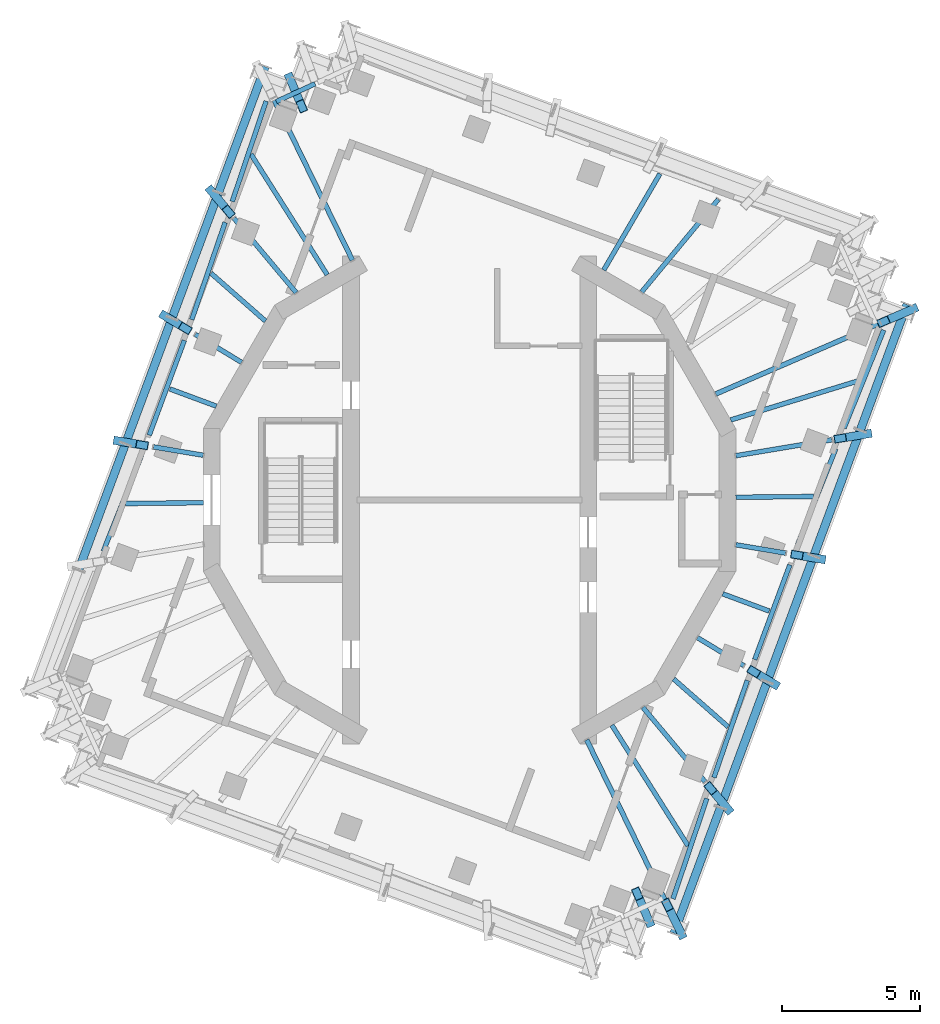
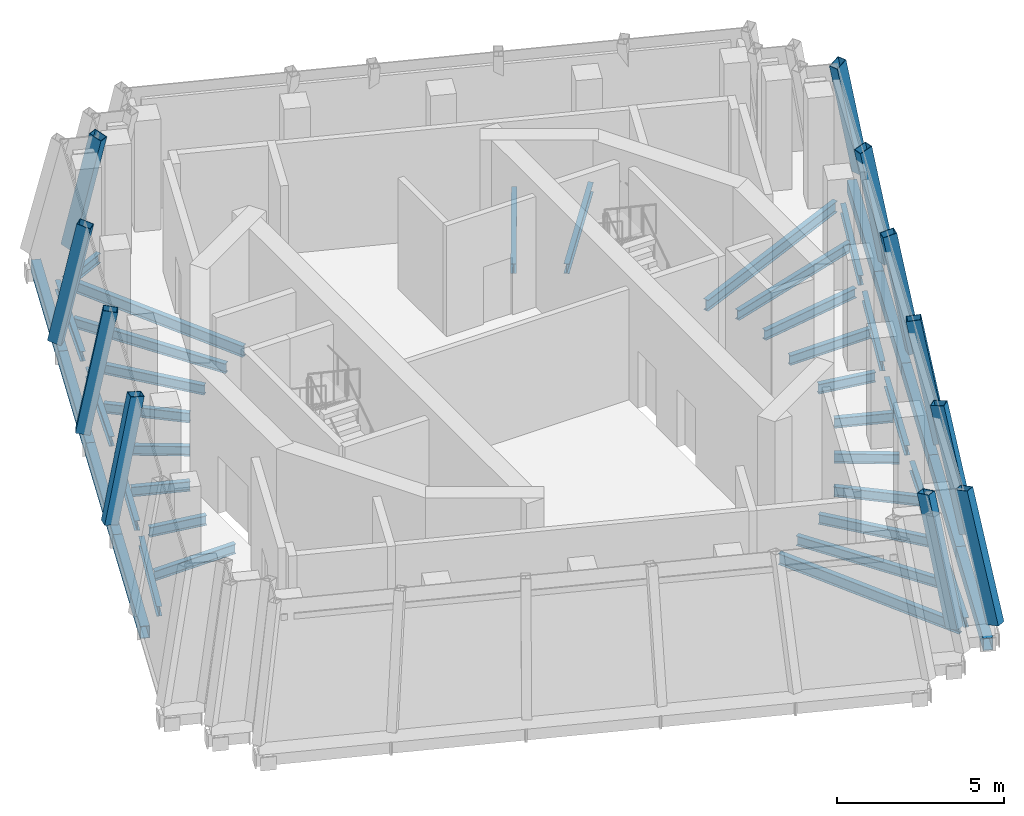
# One storey, part 2 of 12: 31 beams, 20 members, 12 elements without a shape of their own.
"""IFC4 building model written with IfcOpenShell, lengths in metres."""

from ifc_helpers import new_model, si_unit, direction, frame, origin, origin_2d, place, context, subcontext, project, spatial, hollow_rectangle, i_section, extrude, material, material_profile, profile_set, type_object, element, aggregate, save


model = new_model("IFC4")

# Units and contexts
model_context = context("Model", 3, precision=1e-05, world=origin(), true_north=direction((0.0, 1.0)))
body_context = subcontext(model_context, "Body", "Model", "MODEL_VIEW")
ifc_project = project(units=[si_unit("LENGTHUNIT", "METRE"), si_unit("AREAUNIT", "SQUARE_METRE"), si_unit("VOLUMEUNIT", "CUBIC_METRE"), si_unit("PLANEANGLEUNIT", "RADIAN"), si_unit("MASSUNIT", "GRAM", prefix="KILO")], contexts=[model_context])

# Site, building, storey
site_placement = place(None, origin())
site = spatial("IfcSite", under=ifc_project, at=site_placement, CompositionType="ELEMENT")
building_placement = place(site_placement, origin())
building = spatial("IfcBuilding", under=site, at=building_placement, Name="Cantera Rosa Tower", CompositionType="ELEMENT")
storey_placement = place(building_placement, frame((0.0, 0.0, 360.699951171875)))
storey = spatial("IfcBuildingStorey", under=building, at=storey_placement, Name="L81", CompositionType="ELEMENT", Elevation=360.699951171875)

# Curtain wall, member
ifc_material_1 = material(Name="Aluminium frame with clear glass", Category="aluminium")
curtain_wall_type = type_object("IfcCurtainWallType", Name="CW4 CROWN GLAZING", PredefinedType="NOTDEFINED", material=ifc_material_1)
curtain_wall_1_placement = place(storey_placement, origin())
curtain_wall_1 = element("IfcCurtainWall", 1, at=curtain_wall_1_placement, inside=storey, type_object=curtain_wall_type, Name="CW4 L81-09", PredefinedType="NOTDEFINED")
ifc_material_2 = material(Name="Steel S355J2 (EN 10025-2)", Category="steel")
ifc_material_profile_1 = material_profile(ifc_material_2, hollow_rectangle(XDim=0.300048828125, YDim=0.449951171875, WallThickness=0.01611328125, at=origin_2d()), Name="CROWN FRAME MULLION RHS 300x450x16")
ifc_profile_set_1 = profile_set([ifc_material_profile_1], Name="Steel S355J2 (EN 10025-2)")
member_type_1 = type_object("IfcMemberType", Name="CROWN FRAME MULLION RHS 300x450x16", PredefinedType="MULLION", material=ifc_profile_set_1)
member_1_placement = place(storey_placement, frame((-6.5068359375, 15.271728515625, 0.0), z_axis=(0.090727513229, -0.213017011862, 0.972826948126), x_axis=(0.920027022775, 0.391854918769, 0.0)))
member_1 = element("IfcMember", 2, at=member_1_placement, type_object=member_type_1, Name="CROWN FRAME rib L81-09", PredefinedType="MULLION", context=body_context, shape_type="SweptSolid", body=[
    extrude(hollow_rectangle(XDim=0.300048828125, YDim=0.449951171875, WallThickness=0.01611328125, at=origin_2d()), origin(), (0.0, 0.0, 1.0), 4.625732421875),
])
aggregate(curtain_wall_1, [member_1])

curtain_wall_2_placement = place(storey_placement, origin())
curtain_wall_2 = element("IfcCurtainWall", 3, at=curtain_wall_2_placement, inside=storey, type_object=curtain_wall_type, Name="CW4 L81-11", PredefinedType="NOTDEFINED")
member_2_placement = place(storey_placement, frame((-9.345703125, 11.179443359375, 0.0), z_axis=(0.131174262081, -0.156878044611, 0.978868015662), x_axis=(0.767155870735, 0.641460731454, 0.0)))
member_2 = element("IfcMember", 4, at=member_2_placement, type_object=member_type_1, Name="CROWN FRAME rib L81-11", PredefinedType="MULLION", context=body_context, shape_type="SweptSolid", body=[
    extrude(hollow_rectangle(XDim=0.300048828125, YDim=0.449951171875, WallThickness=0.01611328125, at=origin_2d()), origin(), (0.0, 0.0, 1.0), 4.59716796875),
])

curtain_wall_3_placement = place(storey_placement, origin())
curtain_wall_3 = element("IfcCurtainWall", 5, at=curtain_wall_3_placement, inside=storey, type_object=curtain_wall_type, Name="CW4 L81-12", PredefinedType="NOTDEFINED")
member_3_placement = place(storey_placement, frame((-11.021728515625, 6.656494140625, 0.0), z_axis=(0.15536192756, -0.093846713797, 0.983389783237), x_axis=(0.517043858329, 0.855958905886, 0.0)))
member_3 = element("IfcMember", 6, at=member_3_placement, type_object=member_type_1, Name="CROWN FRAME rib L81-12", PredefinedType="MULLION", context=body_context, shape_type="SweptSolid", body=[
    extrude(hollow_rectangle(XDim=0.300048828125, YDim=0.449951171875, WallThickness=0.01611328125, at=origin_2d()), origin(), (0.0, 0.0, 1.0), 4.575927734375),
])

curtain_wall_4_placement = place(storey_placement, origin())
curtain_wall_4 = element("IfcCurtainWall", 7, at=curtain_wall_4_placement, inside=storey, type_object=curtain_wall_type, Name="CW4 L81-13", PredefinedType="NOTDEFINED")
member_4_placement = place(storey_placement, frame((-12.697998046875, 2.133544921875, 0.0), z_axis=(0.179048567756, -0.030090402925, 0.983379976426), x_axis=(0.165733088337, 0.986170646202, 0.0)))
member_4 = element("IfcMember", 8, at=member_4_placement, type_object=member_type_1, Name="CROWN FRAME rib L81-13", PredefinedType="MULLION", context=body_context, shape_type="SweptSolid", body=[
    extrude(hollow_rectangle(XDim=0.300048828125, YDim=0.449951171875, WallThickness=0.01611328125, at=origin_2d()), origin(), (0.0, 0.0, 1.0), 4.576171875),
])

curtain_wall_5_placement = place(storey_placement, origin())
curtain_wall_5 = element("IfcCurtainWall", 9, at=curtain_wall_5_placement, inside=storey, type_object=curtain_wall_type, Name="CW4 L81-27", PredefinedType="NOTDEFINED")
member_5_placement = place(storey_placement, frame((6.5068359375, -15.271728515625, 0.0), z_axis=(-0.090727513229, 0.213017011862, 0.972826948126), x_axis=(-0.920027022775, -0.391854918769, 0.0)))
member_5 = element("IfcMember", 10, at=member_5_placement, type_object=member_type_1, Name="CROWN FRAME rib L81-27", PredefinedType="MULLION", context=body_context, shape_type="SweptSolid", body=[
    extrude(hollow_rectangle(XDim=0.300048828125, YDim=0.449951171875, WallThickness=0.01611328125, at=origin_2d()), origin(), (0.0, 0.0, 1.0), 4.625732421875),
])
aggregate(curtain_wall_5, [member_5])

curtain_wall_6_placement = place(storey_placement, origin())
curtain_wall_6 = element("IfcCurtainWall", 11, at=curtain_wall_6_placement, inside=storey, type_object=curtain_wall_type, Name="CW4 L81-28", PredefinedType="NOTDEFINED")
member_6_placement = place(storey_placement, frame((7.669677734375, -15.702392578125, 0.0), z_axis=(-0.106675116343, 0.218349806467, 0.970022567557), x_axis=(-0.898503957326, -0.438965418535, 0.0)))
member_6 = element("IfcMember", 12, at=member_6_placement, type_object=member_type_1, Name="CROWN FRAME rib L81-28", PredefinedType="MULLION", context=body_context, shape_type="SweptSolid", body=[
    extrude(hollow_rectangle(XDim=0.300048828125, YDim=0.449951171875, WallThickness=0.01611328125, at=origin_2d()), origin(), (0.0, 0.0, 1.0), 4.63916015625),
])

curtain_wall_7_placement = place(storey_placement, origin())
curtain_wall_7 = element("IfcCurtainWall", 13, at=curtain_wall_7_placement, inside=storey, type_object=curtain_wall_type, Name="CW4 L81-29", PredefinedType="NOTDEFINED")
member_7_placement = place(storey_placement, frame((9.345703125, -11.179443359375, 0.0), z_axis=(-0.131174262081, 0.156878044611, 0.978868015662), x_axis=(-0.767155870735, -0.641460731454, 0.0)))
member_7 = element("IfcMember", 14, at=member_7_placement, type_object=member_type_1, Name="CROWN FRAME rib L81-29", PredefinedType="MULLION", context=body_context, shape_type="SweptSolid", body=[
    extrude(hollow_rectangle(XDim=0.300048828125, YDim=0.449951171875, WallThickness=0.01611328125, at=origin_2d()), origin(), (0.0, 0.0, 1.0), 4.59716796875),
])

curtain_wall_8_placement = place(storey_placement, origin())
curtain_wall_8 = element("IfcCurtainWall", 15, at=curtain_wall_8_placement, inside=storey, type_object=curtain_wall_type, Name="CW4 L81-30", PredefinedType="NOTDEFINED")
member_8_placement = place(storey_placement, frame((11.021728515625, -6.656494140625, 0.0), z_axis=(-0.15536192756, 0.093846713797, 0.983389783237), x_axis=(-0.517043858329, -0.855958905886, 0.0)))
member_8 = element("IfcMember", 16, at=member_8_placement, type_object=member_type_1, Name="CROWN FRAME rib L81-30", PredefinedType="MULLION", context=body_context, shape_type="SweptSolid", body=[
    extrude(hollow_rectangle(XDim=0.300048828125, YDim=0.449951171875, WallThickness=0.01611328125, at=origin_2d()), origin(), (0.0, 0.0, 1.0), 4.575927734375),
])

curtain_wall_9_placement = place(storey_placement, origin())
curtain_wall_9 = element("IfcCurtainWall", 17, at=curtain_wall_9_placement, inside=storey, type_object=curtain_wall_type, Name="CW4 L81-31", PredefinedType="NOTDEFINED")
member_9_placement = place(storey_placement, frame((12.697998046875, -2.133544921875, 0.0), z_axis=(-0.179048567756, 0.030090402925, 0.983379976426), x_axis=(-0.165733088337, -0.986170646202, 0.0)))
member_9 = element("IfcMember", 18, at=member_9_placement, type_object=member_type_1, Name="CROWN FRAME rib L81-31", PredefinedType="MULLION", context=body_context, shape_type="SweptSolid", body=[
    extrude(hollow_rectangle(XDim=0.300048828125, YDim=0.449951171875, WallThickness=0.01611328125, at=origin_2d()), origin(), (0.0, 0.0, 1.0), 4.576171875),
])

curtain_wall_10_placement = place(storey_placement, origin())
curtain_wall_10 = element("IfcCurtainWall", 19, at=curtain_wall_10_placement, inside=storey, type_object=curtain_wall_type, Name="CW4 L81-32", PredefinedType="NOTDEFINED")
member_10_placement = place(storey_placement, frame((14.3740234375, 2.3896484375, 0.0), z_axis=(-0.201701136075, -0.033563748815, 0.978871864174), x_axis=(0.164146276387, -0.986436009049, 0.0)))
member_10 = element("IfcMember", 20, at=member_10_placement, type_object=member_type_1, Name="CROWN FRAME rib L81-32", PredefinedType="MULLION", context=body_context, shape_type="SweptSolid", body=[
    extrude(hollow_rectangle(XDim=0.300048828125, YDim=0.449951171875, WallThickness=0.01611328125, at=origin_2d()), origin(), (0.0, 0.0, 1.0), 4.59716796875),
])

curtain_wall_11_placement = place(storey_placement, origin())
curtain_wall_11 = element("IfcCurtainWall", 21, at=curtain_wall_11_placement, inside=storey, type_object=curtain_wall_type, Name="CW4 L81-33", PredefinedType="NOTDEFINED")
member_11_placement = place(storey_placement, frame((16.050048828125, 6.91259765625, 0.0), z_axis=(-0.223191165167, -0.096149554058, 0.970021116804), x_axis=(0.395643566928, -0.918404141949, 0.0)))
member_11 = element("IfcMember", 22, at=member_11_placement, type_object=member_type_1, Name="CROWN FRAME rib L81-33", PredefinedType="MULLION", context=body_context, shape_type="SweptSolid", body=[
    extrude(hollow_rectangle(XDim=0.300048828125, YDim=0.449951171875, WallThickness=0.01611328125, at=origin_2d()), origin(), (0.0, 0.0, 1.0), 4.63916015625),
])
aggregate(curtain_wall_11, [member_11])

curtain_wall_12_placement = place(storey_placement, origin())
curtain_wall_12 = element("IfcCurtainWall", 23, at=curtain_wall_12_placement, inside=storey, type_object=curtain_wall_type, Name="CW4 L81-10", PredefinedType="NOTDEFINED")
ifc_material_3 = material(Name="Steel S355J2 (EN 10025-2)", Category="steel")
ifc_material_profile_2 = material_profile(ifc_material_3, hollow_rectangle(XDim=0.300048828125, YDim=0.449951171875, WallThickness=0.01611328125, at=origin_2d()), Name="CROWN FRAME PURLIN RHS 300x450x16")
ifc_profile_set_2 = profile_set([ifc_material_profile_2], Name="Steel S355J2 (EN 10025-2)")
member_type_2 = type_object("IfcMemberType", Name="CROWN FRAME PURLIN RHS 300x450x16", PredefinedType="PURLIN", material=ifc_profile_set_2)
member_12_placement = place(storey_placement, frame((-7.4140625, 15.720703125, -0.675048828125), z_axis=(-0.347453252819, -0.937697305694, 0.0), x_axis=(0.937697305694, -0.347453252819, 0.0)))
member_12 = element("IfcMember", 24, at=member_12_placement, type_object=member_type_2, Name="CROWN FRAME purlin L81-10", PredefinedType="PURLIN", context=body_context, shape_type="SweptSolid", body=[
    extrude(hollow_rectangle(XDim=0.300048828125, YDim=0.449951171875, WallThickness=0.01611328125, at=origin_2d()), origin(), (0.0, 0.0, 1.0), 4.865966796875),
])
aggregate(curtain_wall_12, [member_12])

# Member
member_13_placement = place(storey_placement, frame((-9.104736328125, 11.157958984375, -0.675048828125), z_axis=(-0.347497368256, -0.937680958032, 0.0), x_axis=(0.937680958032, -0.347497368256, 0.0)))
member_13 = element("IfcMember", 25, at=member_13_placement, type_object=member_type_2, Name="CROWN FRAME purlin L81-11", PredefinedType="PURLIN", context=body_context, shape_type="SweptSolid", body=[
    extrude(hollow_rectangle(XDim=0.300048828125, YDim=0.449951171875, WallThickness=0.01611328125, at=origin_2d()), origin(), (0.0, 0.0, 1.0), 4.865966796875),
])

aggregate(curtain_wall_2, [member_2, member_13])

member_14_placement = place(storey_placement, frame((-10.795654296875, 6.59521484375, -0.675048828125), z_axis=(-0.347497368256, -0.937680958032, 0.0), x_axis=(0.937680958032, -0.347497368256, 0.0)))
member_14 = element("IfcMember", 26, at=member_14_placement, type_object=member_type_2, Name="CROWN FRAME purlin L81-12", PredefinedType="PURLIN", context=body_context, shape_type="SweptSolid", body=[
    extrude(hollow_rectangle(XDim=0.300048828125, YDim=0.449951171875, WallThickness=0.01611328125, at=origin_2d()), origin(), (0.0, 0.0, 1.0), 4.865966796875),
])

aggregate(curtain_wall_3, [member_3, member_14])

member_15_placement = place(storey_placement, frame((-12.486572265625, 2.032470703125, -0.675048828125), z_axis=(-0.347453252819, -0.937697305694, 0.0), x_axis=(0.937697305694, -0.347453252819, 0.0)))
member_15 = element("IfcMember", 27, at=member_15_placement, type_object=member_type_2, Name="CROWN FRAME purlin L81-13", PredefinedType="PURLIN", context=body_context, shape_type="SweptSolid", body=[
    extrude(hollow_rectangle(XDim=0.300048828125, YDim=0.449951171875, WallThickness=0.01611328125, at=origin_2d()), origin(), (0.0, 0.0, 1.0), 4.865966796875),
])

aggregate(curtain_wall_4, [member_4, member_15])

member_16_placement = place(storey_placement, frame((7.4140625, -15.720703125, -0.675048828125), z_axis=(0.347453252819, 0.937697305694, 0.0), x_axis=(-0.937697305694, 0.347453252819, 0.0)))
member_16 = element("IfcMember", 28, at=member_16_placement, type_object=member_type_2, Name="CROWN FRAME purlin L81-28", PredefinedType="PURLIN", context=body_context, shape_type="SweptSolid", body=[
    extrude(hollow_rectangle(XDim=0.300048828125, YDim=0.449951171875, WallThickness=0.01611328125, at=origin_2d()), origin(), (0.0, 0.0, 1.0), 4.865966796875),
])

aggregate(curtain_wall_6, [member_6, member_16])

member_17_placement = place(storey_placement, frame((9.104736328125, -11.157958984375, -0.675048828125), z_axis=(0.347497368256, 0.937680958032, 0.0), x_axis=(-0.937680958032, 0.347497368256, 0.0)))
member_17 = element("IfcMember", 29, at=member_17_placement, type_object=member_type_2, Name="CROWN FRAME purlin L81-29", PredefinedType="PURLIN", context=body_context, shape_type="SweptSolid", body=[
    extrude(hollow_rectangle(XDim=0.300048828125, YDim=0.449951171875, WallThickness=0.01611328125, at=origin_2d()), origin(), (0.0, 0.0, 1.0), 4.865966796875),
])

aggregate(curtain_wall_7, [member_7, member_17])

member_18_placement = place(storey_placement, frame((10.795654296875, -6.59521484375, -0.675048828125), z_axis=(0.347497368256, 0.937680958032, 0.0), x_axis=(-0.937680958032, 0.347497368256, 0.0)))
member_18 = element("IfcMember", 30, at=member_18_placement, type_object=member_type_2, Name="CROWN FRAME purlin L81-30", PredefinedType="PURLIN", context=body_context, shape_type="SweptSolid", body=[
    extrude(hollow_rectangle(XDim=0.300048828125, YDim=0.449951171875, WallThickness=0.01611328125, at=origin_2d()), origin(), (0.0, 0.0, 1.0), 4.865966796875),
])

aggregate(curtain_wall_8, [member_8, member_18])

member_19_placement = place(storey_placement, frame((12.486572265625, -2.032470703125, -0.675048828125), z_axis=(0.347453252819, 0.937697305694, 0.0), x_axis=(-0.937697305694, 0.347453252819, 0.0)))
member_19 = element("IfcMember", 31, at=member_19_placement, type_object=member_type_2, Name="CROWN FRAME purlin L81-31", PredefinedType="PURLIN", context=body_context, shape_type="SweptSolid", body=[
    extrude(hollow_rectangle(XDim=0.300048828125, YDim=0.449951171875, WallThickness=0.01611328125, at=origin_2d()), origin(), (0.0, 0.0, 1.0), 4.865966796875),
])

aggregate(curtain_wall_9, [member_9, member_19])

member_20_placement = place(storey_placement, frame((14.17724609375, 2.5302734375, -0.675048828125), z_axis=(0.347497368256, 0.937680958032, 0.0), x_axis=(-0.937680958032, 0.347497368256, 0.0)))
member_20 = element("IfcMember", 32, at=member_20_placement, type_object=member_type_2, Name="CROWN FRAME purlin L81-32", PredefinedType="PURLIN", context=body_context, shape_type="SweptSolid", body=[
    extrude(hollow_rectangle(XDim=0.300048828125, YDim=0.449951171875, WallThickness=0.01611328125, at=origin_2d()), origin(), (0.0, 0.0, 1.0), 4.865966796875),
])

aggregate(curtain_wall_10, [member_10, member_20])

# Beams
ifc_material_4 = material(Name="Steel ASTM A992 (Fy 345 MPa)", Category="steel")
ifc_material_profile_3 = material_profile(ifc_material_4, i_section(OverallWidth=0.1708984375, OverallDepth=0.35595703125, WebThickness=0.00732421875, FlangeThickness=0.01171875, FilletRadius=0.010009765625, at=origin_2d()), Name="W360X51")
ifc_profile_set_3 = profile_set([ifc_material_profile_3], Name="Steel ASTM A992 (Fy 345 MPa)")
beam_type_1 = type_object("IfcBeamType", Name="STEEL BEAM W360X51", PredefinedType="BEAM", material=ifc_profile_set_3)
beam_1_placement = place(storey_placement, frame((9.022216796875, 10.9033203125, -0.6279296875), z_axis=(-0.637495439118, -0.770454129137, 0.0), x_axis=(0.770454129137, -0.637495439118, 0.0)))
element("IfcBeam", 33, at=beam_1_placement, inside=storey, type_object=beam_type_1, Name="CG-Z6-02 L81", PredefinedType="BEAM", context=body_context, shape_type="SweptSolid", body=[
    extrude(i_section(OverallWidth=0.1708984375, OverallDepth=0.35595703125, WebThickness=0.00732421875, FlangeThickness=0.01171875, FilletRadius=0.010009765625, at=origin_2d()), origin(), (0.0, 0.0, 1.0), 4.35546875),
])
beam_2_placement = place(storey_placement, frame((-8.5439453125, 10.220458984375, -0.6279296875), z_axis=(0.64135833148, -0.767241481309, 0.0), x_axis=(0.767241481309, 0.64135833148, 0.0)))
element("IfcBeam", 34, at=beam_2_placement, inside=storey, type_object=beam_type_1, Name="CG-Z6-04 L81", PredefinedType="BEAM", context=body_context, shape_type="SweptSolid", body=[
    extrude(i_section(OverallWidth=0.1708984375, OverallDepth=0.35595703125, WebThickness=0.00732421875, FlangeThickness=0.01171875, FilletRadius=0.010009765625, at=origin_2d()), origin(), (0.0, 0.0, 1.0), 3.51611328125),
])
beam_3_placement = place(storey_placement, frame((-9.951904296875, 6.01025390625, -0.6279296875), z_axis=(0.856031246836, -0.516924079959, 0.0), x_axis=(0.516924079959, 0.856031246836, 0.0)))
element("IfcBeam", 35, at=beam_3_placement, inside=storey, type_object=beam_type_1, Name="CG-Z6-05 L81", PredefinedType="BEAM", context=body_context, shape_type="SweptSolid", body=[
    extrude(i_section(OverallWidth=0.1708984375, OverallDepth=0.35595703125, WebThickness=0.00732421875, FlangeThickness=0.01171875, FilletRadius=0.010009765625, at=origin_2d()), origin(), (0.0, 0.0, 1.0), 1.96484375),
])
beam_4_placement = place(storey_placement, frame((-11.465087890625, 1.92626953125, -0.6279296875), z_axis=(0.98617324323, -0.165717634357, 0.0), x_axis=(0.165717634357, 0.98617324323, 0.0)))
element("IfcBeam", 36, at=beam_4_placement, inside=storey, type_object=beam_type_1, Name="CG-Z6-06 L81", PredefinedType="BEAM", context=body_context, shape_type="SweptSolid", body=[
    extrude(i_section(OverallWidth=0.1708984375, OverallDepth=0.35595703125, WebThickness=0.00732421875, FlangeThickness=0.01171875, FilletRadius=0.010009765625, at=origin_2d()), origin(), (0.0, 0.0, 1.0), 1.831298828125),
])
beam_5_placement = place(storey_placement, frame((8.5439453125, -10.220458984375, -0.6279296875), z_axis=(-0.64135833148, 0.767241481309, 0.0), x_axis=(-0.767241481309, -0.64135833148, 0.0)))
element("IfcBeam", 37, at=beam_5_placement, inside=storey, type_object=beam_type_1, Name="CG-Z6-12 L81", PredefinedType="BEAM", context=body_context, shape_type="SweptSolid", body=[
    extrude(i_section(OverallWidth=0.1708984375, OverallDepth=0.35595703125, WebThickness=0.00732421875, FlangeThickness=0.01171875, FilletRadius=0.010009765625, at=origin_2d()), origin(), (0.0, 0.0, 1.0), 3.51611328125),
])
beam_6_placement = place(storey_placement, frame((9.951904296875, -6.01025390625, -0.6279296875), z_axis=(-0.856031246836, 0.516924079959, 0.0), x_axis=(-0.516924079959, -0.856031246836, 0.0)))
element("IfcBeam", 38, at=beam_6_placement, inside=storey, type_object=beam_type_1, Name="CG-Z6-13 L81", PredefinedType="BEAM", context=body_context, shape_type="SweptSolid", body=[
    extrude(i_section(OverallWidth=0.1708984375, OverallDepth=0.35595703125, WebThickness=0.00732421875, FlangeThickness=0.01171875, FilletRadius=0.010009765625, at=origin_2d()), origin(), (0.0, 0.0, 1.0), 1.96484375),
])
beam_7_placement = place(storey_placement, frame((11.465087890625, -1.92626953125, -0.6279296875), z_axis=(-0.98617324323, 0.165717634357, 0.0), x_axis=(-0.165717634357, -0.98617324323, 0.0)))
element("IfcBeam", 39, at=beam_7_placement, inside=storey, type_object=beam_type_1, Name="CG-Z6-14 L81", PredefinedType="BEAM", context=body_context, shape_type="SweptSolid", body=[
    extrude(i_section(OverallWidth=0.1708984375, OverallDepth=0.35595703125, WebThickness=0.00732421875, FlangeThickness=0.01171875, FilletRadius=0.010009765625, at=origin_2d()), origin(), (0.0, 0.0, 1.0), 1.831298828125),
])
beam_8_placement = place(storey_placement, frame((13.140869140625, 2.1845703125, -0.6279296875), z_axis=(-0.986459278503, -0.164006377486, 0.0), x_axis=(0.164006377486, -0.986459278503, 0.0)))
element("IfcBeam", 40, at=beam_8_placement, inside=storey, type_object=beam_type_1, Name="CG-Z6-15 L81", PredefinedType="BEAM", context=body_context, shape_type="SweptSolid", body=[
    extrude(i_section(OverallWidth=0.1708984375, OverallDepth=0.35595703125, WebThickness=0.00732421875, FlangeThickness=0.01171875, FilletRadius=0.010009765625, at=origin_2d()), origin(), (0.0, 0.0, 1.0), 3.529541015625),
])
beam_9_placement = place(storey_placement, frame((6.9072265625, 11.834716796875, -0.6279296875), z_axis=(-0.504096252893, -0.863647478905, 0.0), x_axis=(0.863647478905, -0.504096252893, 0.0)))
element("IfcBeam", 41, at=beam_9_placement, inside=storey, type_object=beam_type_1, Name="CB-Z6-02 L81", PredefinedType="BEAM", context=body_context, shape_type="SweptSolid", body=[
    extrude(i_section(OverallWidth=0.1708984375, OverallDepth=0.35595703125, WebThickness=0.00732421875, FlangeThickness=0.01171875, FilletRadius=0.010009765625, at=origin_2d()), origin(), (0.0, 0.0, 1.0), 4.04345703125),
])
beam_10_placement = place(storey_placement, frame((-7.930419921875, 12.54833984375, -0.6279296875), z_axis=(0.53423958482, -0.845333109497, 0.0), x_axis=(0.845333109497, 0.53423958482, 0.0)))
element("IfcBeam", 42, at=beam_10_placement, inside=storey, type_object=beam_type_1, Name="CB-Z6-03 L81", PredefinedType="BEAM", context=body_context, shape_type="SweptSolid", body=[
    extrude(i_section(OverallWidth=0.1708984375, OverallDepth=0.35595703125, WebThickness=0.00732421875, FlangeThickness=0.01171875, FilletRadius=0.010009765625, at=origin_2d()), origin(), (0.0, 0.0, 1.0), 5.17724609375),
])
beam_11_placement = place(storey_placement, frame((-9.38232421875, 8.228759765625, -0.6279296875), z_axis=(0.751805918881, -0.659384455637, 0.0), x_axis=(0.659384455637, 0.751805918881, 0.0)))
element("IfcBeam", 43, at=beam_11_placement, inside=storey, type_object=beam_type_1, Name="CB-Z6-04 L81", PredefinedType="BEAM", context=body_context, shape_type="SweptSolid", body=[
    extrude(i_section(OverallWidth=0.1708984375, OverallDepth=0.35595703125, WebThickness=0.00732421875, FlangeThickness=0.01171875, FilletRadius=0.010009765625, at=origin_2d()), origin(), (0.0, 0.0, 1.0), 2.631103515625),
])
beam_12_placement = place(storey_placement, frame((-10.872314453125, 4.029052734375, -0.6279296875), z_axis=(0.937684812899, -0.347486966171, 0.0), x_axis=(0.347486966171, 0.937684812899, 0.0)))
element("IfcBeam", 44, at=beam_12_placement, inside=storey, type_object=beam_type_1, Name="CB-Z6-05 L81", PredefinedType="BEAM", context=body_context, shape_type="SweptSolid", body=[
    extrude(i_section(OverallWidth=0.1708984375, OverallDepth=0.35595703125, WebThickness=0.00732421875, FlangeThickness=0.01171875, FilletRadius=0.010009765625, at=origin_2d()), origin(), (0.0, 0.0, 1.0), 1.796630859375),
])
beam_13_placement = place(storey_placement, frame((-12.47900390625, -0.127685546875, -0.6279296875), z_axis=(0.999947816158, 0.010215917083, 0.0), x_axis=(-0.010215917083, 0.999947816158, 0.0)))
element("IfcBeam", 45, at=beam_13_placement, inside=storey, type_object=beam_type_1, Name="CB-Z6-06 L81", PredefinedType="BEAM", context=body_context, shape_type="SweptSolid", body=[
    extrude(i_section(OverallWidth=0.1708984375, OverallDepth=0.35595703125, WebThickness=0.00732421875, FlangeThickness=0.01171875, FilletRadius=0.010009765625, at=origin_2d()), origin(), (0.0, 0.0, 1.0), 2.820068359375),
])
beam_14_placement = place(storey_placement, frame((7.930419921875, -12.54833984375, -0.6279296875), z_axis=(-0.53423958482, 0.845333109497, 0.0), x_axis=(-0.845333109497, -0.53423958482, 0.0)))
element("IfcBeam", 46, at=beam_14_placement, inside=storey, type_object=beam_type_1, Name="CB-Z6-10 L81", PredefinedType="BEAM", context=body_context, shape_type="SweptSolid", body=[
    extrude(i_section(OverallWidth=0.1708984375, OverallDepth=0.35595703125, WebThickness=0.00732421875, FlangeThickness=0.01171875, FilletRadius=0.010009765625, at=origin_2d()), origin(), (0.0, 0.0, 1.0), 5.17724609375),
])
beam_15_placement = place(storey_placement, frame((9.38232421875, -8.228759765625, -0.6279296875), z_axis=(-0.751805918881, 0.659384455637, 0.0), x_axis=(-0.659384455637, -0.751805918881, 0.0)))
element("IfcBeam", 47, at=beam_15_placement, inside=storey, type_object=beam_type_1, Name="CB-Z6-11 L81", PredefinedType="BEAM", context=body_context, shape_type="SweptSolid", body=[
    extrude(i_section(OverallWidth=0.1708984375, OverallDepth=0.35595703125, WebThickness=0.00732421875, FlangeThickness=0.01171875, FilletRadius=0.010009765625, at=origin_2d()), origin(), (0.0, 0.0, 1.0), 2.631103515625),
])
beam_16_placement = place(storey_placement, frame((10.872314453125, -4.029052734375, -0.6279296875), z_axis=(-0.937684812899, 0.347486966171, 0.0), x_axis=(-0.347486966171, -0.937684812899, 0.0)))
element("IfcBeam", 48, at=beam_16_placement, inside=storey, type_object=beam_type_1, Name="CB-Z6-12 L81", PredefinedType="BEAM", context=body_context, shape_type="SweptSolid", body=[
    extrude(i_section(OverallWidth=0.1708984375, OverallDepth=0.35595703125, WebThickness=0.00732421875, FlangeThickness=0.01171875, FilletRadius=0.010009765625, at=origin_2d()), origin(), (0.0, 0.0, 1.0), 1.796630859375),
])
beam_17_placement = place(storey_placement, frame((12.47900390625, 0.127685546875, -0.6279296875), z_axis=(-0.999947816158, -0.010215917083, 0.0), x_axis=(0.010215917083, -0.999947816158, 0.0)))
element("IfcBeam", 49, at=beam_17_placement, inside=storey, type_object=beam_type_1, Name="CB-Z6-13 L81", PredefinedType="BEAM", context=body_context, shape_type="SweptSolid", body=[
    extrude(i_section(OverallWidth=0.1708984375, OverallDepth=0.35595703125, WebThickness=0.00732421875, FlangeThickness=0.01171875, FilletRadius=0.010009765625, at=origin_2d()), origin(), (0.0, 0.0, 1.0), 2.820068359375),
])
beam_18_placement = place(storey_placement, frame((14.192626953125, 4.35009765625, -0.6279296875), z_axis=(-0.9560941556, -0.293059662231, 0.0), x_axis=(0.293059662231, -0.9560941556, 0.0)))
element("IfcBeam", 50, at=beam_18_placement, inside=storey, type_object=beam_type_1, Name="CB-Z6-14 L81", PredefinedType="BEAM", context=body_context, shape_type="SweptSolid", body=[
    extrude(i_section(OverallWidth=0.1708984375, OverallDepth=0.35595703125, WebThickness=0.00732421875, FlangeThickness=0.01171875, FilletRadius=0.010009765625, at=origin_2d()), origin(), (0.0, 0.0, 1.0), 4.9326171875),
])
ifc_material_5 = material(Name="Steel ASTM A992 (Fy 345 MPa)", Category="steel")
ifc_material_profile_4 = material_profile(ifc_material_5, i_section(OverallWidth=0.177978515625, OverallDepth=0.406005859375, WebThickness=0.0078125, FlangeThickness=0.0126953125, FilletRadius=0.01025390625, at=origin_2d()), Name="W410X60")
ifc_profile_set_4 = profile_set([ifc_material_profile_4], Name="Steel ASTM A992 (Fy 345 MPa)")
beam_type_2 = type_object("IfcBeamType", Name="STEEL BEAM W410X60", PredefinedType="BEAM", material=ifc_profile_set_4)
for number, where, z_axis, x_axis, name in (
    (51, (-7.12109375, 14.579345703125, -0.65283203125), (0.438880839908, -0.898545273407, 0.0), (0.898545273407, 0.438880839908, 0.0), "CG-Z6-03 L81"),
    (52, (7.12109375, -14.579345703125, -0.65283203125), (-0.438880839908, 0.898545273407, 0.0), (-0.898545273407, -0.438880839908, 0.0), "CG-Z6-11 L81"),
):
    element("IfcBeam", number, at=place(storey_placement, frame(where, z_axis=z_axis, x_axis=x_axis)), inside=storey, type_object=beam_type_2, Name=name, PredefinedType="BEAM", context=body_context, shape_type="SweptSolid", body=[
        extrude(i_section(OverallWidth=0.177978515625, OverallDepth=0.406005859375, WebThickness=0.0078125, FlangeThickness=0.0126953125, FilletRadius=0.01025390625, at=origin_2d()), origin(), (0.0, 0.0, 1.0), 6.54296875),
    ])
beam_19_placement = place(storey_placement, frame((14.902099609375, 6.418212890625, -0.65283203125), z_axis=(-0.918442218137, -0.395555169279, 0.0), x_axis=(0.395555169279, -0.918442218137, 0.0)))
element("IfcBeam", 53, at=beam_19_placement, inside=storey, type_object=beam_type_2, Name="CG-Z6-16 L81", PredefinedType="BEAM", context=body_context, shape_type="SweptSolid", body=[
    extrude(i_section(OverallWidth=0.177978515625, OverallDepth=0.406005859375, WebThickness=0.0078125, FlangeThickness=0.0126953125, FilletRadius=0.01025390625, at=origin_2d()), origin(), (0.0, 0.0, 1.0), 6.499755859375),
])
ifc_material_6 = material(Name="Steel ASTM A992 (Fy 345 MPa)", Category="steel")
ifc_material_profile_5 = material_profile(ifc_material_6, i_section(OverallWidth=0.1708984375, OverallDepth=0.35595703125, WebThickness=0.00732421875, FlangeThickness=0.01171875, FilletRadius=0.010009765625, at=origin_2d()), Name="W360X51")
ifc_profile_set_5 = profile_set([ifc_material_profile_5], Name="Steel ASTM A992 (Fy 345 MPa)")
beam_type_3 = type_object("IfcBeamType", Name="STEEL SPANDREL BEAM W360X51", PredefinedType="SPANDREL", material=ifc_profile_set_5)
beam_20_placement = place(storey_placement, frame((-5.60498046875, 15.10205078125, -0.6279296875), z_axis=(-0.908148653815, -0.418647850316, 0.0), x_axis=(0.418647850316, -0.908148653815, 0.0)))
element("IfcBeam", 54, at=beam_20_placement, inside=storey, type_object=beam_type_3, Name="CEB-Z6-06 L81", PredefinedType="SPANDREL", context=body_context, shape_type="SweptSolid", body=[
    extrude(i_section(OverallWidth=0.1708984375, OverallDepth=0.35595703125, WebThickness=0.00732421875, FlangeThickness=0.01171875, FilletRadius=0.010009765625, at=origin_2d()), origin(), (0.0, 0.0, 1.0), 1.547119140625),
])
beam_21_placement = place(storey_placement, frame((-7.380615234375, 14.4697265625, -0.6279296875), z_axis=(-0.319619595394, -0.947545943076, 0.0), x_axis=(0.947545943076, -0.319619595394, 0.0)))
element("IfcBeam", 55, at=beam_21_placement, inside=storey, type_object=beam_type_3, Name="CEB-Z6-07 L81", PredefinedType="SPANDREL", context=body_context, shape_type="SweptSolid", body=[
    extrude(i_section(OverallWidth=0.1708984375, OverallDepth=0.35595703125, WebThickness=0.00732421875, FlangeThickness=0.01171875, FilletRadius=0.010009765625, at=origin_2d()), origin(), (0.0, 0.0, 1.0), 3.84130859375),
])
beam_22_placement = place(storey_placement, frame((-8.866455078125, 10.072265625, -0.6279296875), z_axis=(-0.324891396861, -0.945751331083, 0.0), x_axis=(0.945751331083, -0.324891396861, 0.0)))
element("IfcBeam", 56, at=beam_22_placement, inside=storey, type_object=beam_type_3, Name="CEB-Z6-08 L81", PredefinedType="SPANDREL", context=body_context, shape_type="SweptSolid", body=[
    extrude(i_section(OverallWidth=0.1708984375, OverallDepth=0.35595703125, WebThickness=0.00732421875, FlangeThickness=0.01171875, FilletRadius=0.010009765625, at=origin_2d()), origin(), (0.0, 0.0, 1.0), 3.73095703125),
])
beam_23_placement = place(storey_placement, frame((-10.34765625, 5.790283203125, -0.6279296875), z_axis=(-0.347466108446, -0.937692542085, 0.0), x_axis=(0.937692542085, -0.347466108446, 0.0)))
element("IfcBeam", 57, at=beam_23_placement, inside=storey, type_object=beam_type_3, Name="CEB-Z6-09 L81", PredefinedType="SPANDREL", context=body_context, shape_type="SweptSolid", body=[
    extrude(i_section(OverallWidth=0.1708984375, OverallDepth=0.35595703125, WebThickness=0.00732421875, FlangeThickness=0.01171875, FilletRadius=0.010009765625, at=origin_2d()), origin(), (0.0, 0.0, 1.0), 3.667724609375),
])
beam_24_placement = place(storey_placement, frame((-11.908935546875, 1.604248046875, -0.6279296875), z_axis=(-0.369855760158, -0.929089186611, 0.0), x_axis=(0.929089186611, -0.369855760158, 0.0)))
element("IfcBeam", 58, at=beam_24_placement, inside=storey, type_object=beam_type_3, Name="CEB-Z6-10 L81", PredefinedType="SPANDREL", context=body_context, shape_type="SweptSolid", body=[
    extrude(i_section(OverallWidth=0.1708984375, OverallDepth=0.35595703125, WebThickness=0.00732421875, FlangeThickness=0.01171875, FilletRadius=0.010009765625, at=origin_2d()), origin(), (0.0, 0.0, 1.0), 3.73095703125),
])
beam_25_placement = place(storey_placement, frame((7.380615234375, -14.4697265625, -0.6279296875), z_axis=(0.319619595394, 0.947545943076, 0.0), x_axis=(-0.947545943076, 0.319619595394, 0.0)))
element("IfcBeam", 59, at=beam_25_placement, inside=storey, type_object=beam_type_3, Name="CEB-Z6-20 L81", PredefinedType="SPANDREL", context=body_context, shape_type="SweptSolid", body=[
    extrude(i_section(OverallWidth=0.1708984375, OverallDepth=0.35595703125, WebThickness=0.00732421875, FlangeThickness=0.01171875, FilletRadius=0.010009765625, at=origin_2d()), origin(), (0.0, 0.0, 1.0), 3.84130859375),
])
beam_26_placement = place(storey_placement, frame((8.866455078125, -10.072265625, -0.6279296875), z_axis=(0.324891396861, 0.945751331083, 0.0), x_axis=(-0.945751331083, 0.324891396861, 0.0)))
element("IfcBeam", 60, at=beam_26_placement, inside=storey, type_object=beam_type_3, Name="CEB-Z6-21 L81", PredefinedType="SPANDREL", context=body_context, shape_type="SweptSolid", body=[
    extrude(i_section(OverallWidth=0.1708984375, OverallDepth=0.35595703125, WebThickness=0.00732421875, FlangeThickness=0.01171875, FilletRadius=0.010009765625, at=origin_2d()), origin(), (0.0, 0.0, 1.0), 3.73095703125),
])
beam_27_placement = place(storey_placement, frame((10.34765625, -5.790283203125, -0.6279296875), z_axis=(0.347466108446, 0.937692542085, 0.0), x_axis=(-0.937692542085, 0.347466108446, 0.0)))
element("IfcBeam", 61, at=beam_27_placement, inside=storey, type_object=beam_type_3, Name="CEB-Z6-22 L81", PredefinedType="SPANDREL", context=body_context, shape_type="SweptSolid", body=[
    extrude(i_section(OverallWidth=0.1708984375, OverallDepth=0.35595703125, WebThickness=0.00732421875, FlangeThickness=0.01171875, FilletRadius=0.010009765625, at=origin_2d()), origin(), (0.0, 0.0, 1.0), 3.667724609375),
])
beam_28_placement = place(storey_placement, frame((11.908935546875, -1.604248046875, -0.6279296875), z_axis=(0.369855760158, 0.929089186611, 0.0), x_axis=(-0.929089186611, 0.369855760158, 0.0)))
element("IfcBeam", 62, at=beam_28_placement, inside=storey, type_object=beam_type_3, Name="CEB-Z6-23 L81", PredefinedType="SPANDREL", context=body_context, shape_type="SweptSolid", body=[
    extrude(i_section(OverallWidth=0.1708984375, OverallDepth=0.35595703125, WebThickness=0.00732421875, FlangeThickness=0.01171875, FilletRadius=0.010009765625, at=origin_2d()), origin(), (0.0, 0.0, 1.0), 3.73095703125),
])
beam_29_placement = place(storey_placement, frame((13.5869140625, 2.604736328125, -0.6279296875), z_axis=(0.375036729005, 0.927009952426, 0.0), x_axis=(-0.927009952426, 0.375036729005, 0.0)))
element("IfcBeam", 63, at=beam_29_placement, inside=storey, type_object=beam_type_3, Name="CEB-Z6-24 L81", PredefinedType="SPANDREL", context=body_context, shape_type="SweptSolid", body=[
    extrude(i_section(OverallWidth=0.1708984375, OverallDepth=0.35595703125, WebThickness=0.00732421875, FlangeThickness=0.01171875, FilletRadius=0.010009765625, at=origin_2d()), origin(), (0.0, 0.0, 1.0), 3.84130859375),
])

save(model, "model.ifc")
